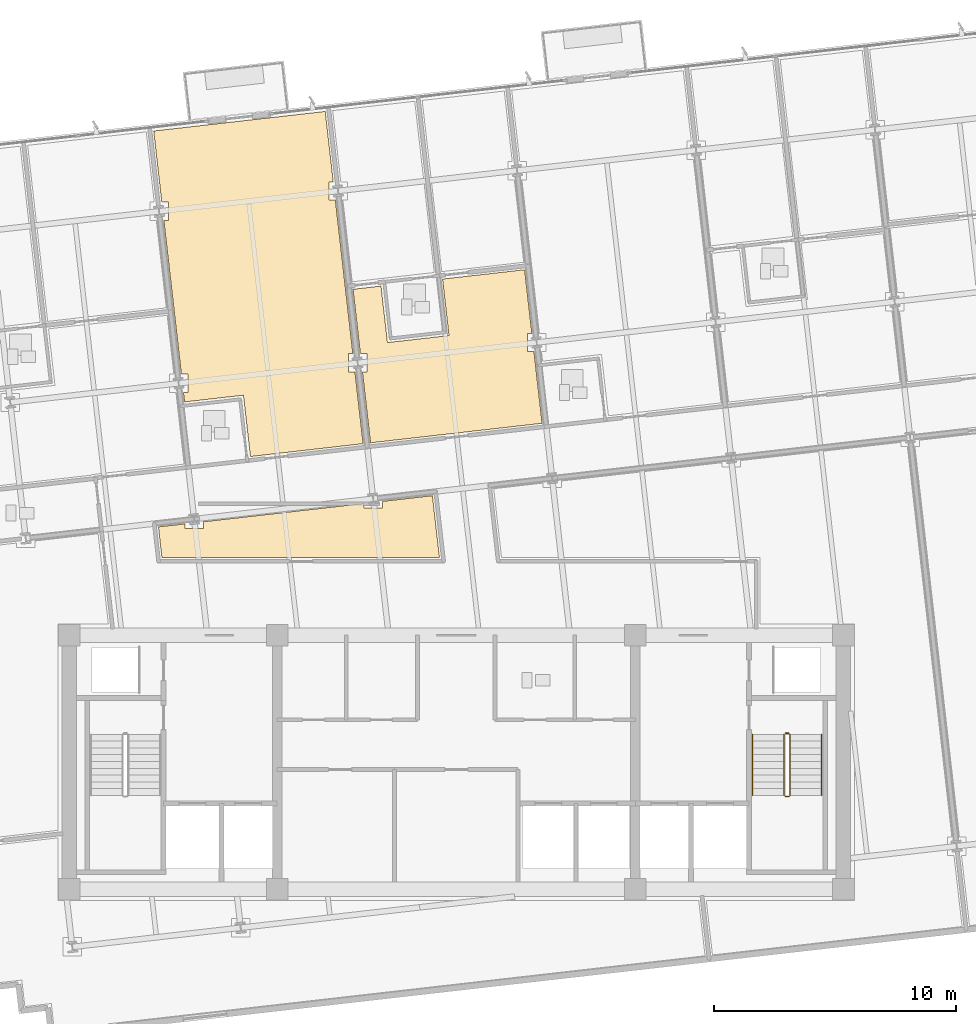
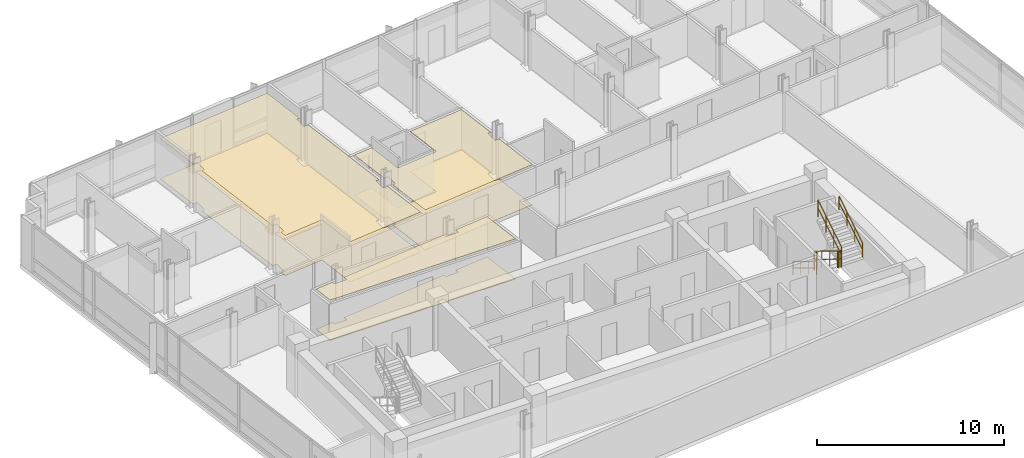
# One storey, part 14 of 17: 6 coverings, 6 railings.
"""IFC4 building model written with IfcOpenShell, lengths in metres."""

import ifcopenshell
import ifcopenshell.guid

model = None  # the IFC model being written
_history = None  # IfcOwnerHistory: only IFC2X3 demands one
_inside = {}  # id of a spatial element -> (the spatial element, [elements in it])
_under = {}  # id of a project, library or spatial element -> (it, [spatial elements below it])
_declared = {}  # id of a project -> (the project, [libraries it declares])
_typed = {}  # id of a type object -> (the type object, [elements of that type])
_made_of = {}  # id of a material, layer set ... -> (it, [elements and type objects made of it])


def new_model(schema):
    """Start an empty IFC model of exactly this schema.

    Asked for "IFC4X3", IfcOpenShell would pick the latest addendum, in which some entities
    have other attributes; the version numbers below select the first issue.
    IFC2X3 requires an IfcOwnerHistory on every rooted entity: one is made here for all.
    """
    global model, _history
    if schema == "IFC4X3":
        model = ifcopenshell.file(schema_version=(4, 3, 0, 0))
    else:
        model = ifcopenshell.file(schema=schema)
    _inside.clear()
    _under.clear()
    _declared.clear()
    _typed.clear()
    _made_of.clear()
    _history = None
    if model.schema == "IFC2X3":
        org = make("IfcOrganization", Name="unknown")
        user = make(
            "IfcPersonAndOrganization",
            ThePerson=make("IfcPerson", FamilyName="unknown"),
            TheOrganization=org,
        )
        app = make(
            "IfcApplication",
            ApplicationDeveloper=org,
            Version="unknown",
            ApplicationFullName="unknown",
            ApplicationIdentifier="unknown",
        )
        _history = make(
            "IfcOwnerHistory",
            OwningUser=user,
            OwningApplication=app,
            ChangeAction="ADDED",
            CreationDate=0,
        )
    return model


def make(cls, **values):
    """One entity of the class cls with the attributes given. An attribute that is None is left unset."""
    return model.create_entity(
        cls, **{name: value for name, value in values.items() if value is not None}
    )


def rooted(cls, **values):
    """An entity with a GlobalId (a new one), such as an element, a storey or a relation."""
    return make(cls, GlobalId=ifcopenshell.guid.new(), OwnerHistory=_history, **values)


def si_unit(unit_type, name, prefix=None):
    """IfcSIUnit, for example si_unit("LENGTHUNIT", "METRE", prefix="MILLI")."""
    return make("IfcSIUnit", UnitType=unit_type, Prefix=prefix, Name=name)


def assignment(units):
    """IfcUnitAssignment: the units of a project."""
    return None if units is None else make("IfcUnitAssignment", Units=units)


def point(xyz):
    """IfcCartesianPoint."""
    return None if xyz is None else make("IfcCartesianPoint", Coordinates=xyz)


def direction(xyz):
    """IfcDirection."""
    return None if xyz is None else make("IfcDirection", DirectionRatios=xyz)


def frame(location, z_axis=None, x_axis=None):
    """IfcAxis2Placement3D, a coordinate frame: its origin and axes. An axis left out is left unset."""
    return make(
        "IfcAxis2Placement3D",
        Location=point(location),
        Axis=direction(z_axis),
        RefDirection=direction(x_axis),
    )


def frame_2d(location, x_axis=None):
    """IfcAxis2Placement2D, a coordinate frame in the plane: its origin and x axis."""
    return make(
        "IfcAxis2Placement2D", Location=point(location), RefDirection=direction(x_axis)
    )


def origin():
    """The frame at (0, 0, 0) with its axes left unset."""
    return frame((0.0, 0.0, 0.0))


def origin_2d():
    """The frame at (0, 0) in the plane with its x axis left unset."""
    return frame_2d((0.0, 0.0))


def place(relative_to, where):
    """IfcLocalPlacement: puts the frame where relative to a parent placement (None: the world)."""
    return make(
        "IfcLocalPlacement", PlacementRelTo=relative_to, RelativePlacement=where
    )


def context(
    kind, dimensions, precision=None, world=None, true_north=None, identifier=None
):
    """IfcGeometricRepresentationContext, for example the 3D "Model" context."""
    return make(
        "IfcGeometricRepresentationContext",
        ContextIdentifier=identifier,
        ContextType=kind,
        CoordinateSpaceDimension=dimensions,
        Precision=precision,
        WorldCoordinateSystem=world,
        TrueNorth=true_north,
    )


def subcontext(parent, identifier, kind, view, scale=None):
    """IfcGeometricRepresentationSubContext, for example "Body" below "Model"."""
    return make(
        "IfcGeometricRepresentationSubContext",
        ContextIdentifier=identifier,
        ContextType=kind,
        ParentContext=parent,
        TargetScale=scale,
        TargetView=view,
    )


def project(units=None, contexts=None):
    """IfcProject with its units and contexts."""
    return rooted(
        "IfcProject",
        Name="project",
        RepresentationContexts=contexts,
        UnitsInContext=assignment(units),
    )


def spatial(cls, under=None, at=None, **own):
    """A site, building, storey or space (cls), placed at a placement, below another one or the project."""
    s = rooted(cls, ObjectPlacement=at, **own)
    if under is not None:
        _under.setdefault(under.id(), (under, []))[1].append(s)
    return s


def polyline(points):
    """IfcPolyline through the points."""
    return make("IfcPolyline", Points=[point(p) for p in points])


def profile(cls, at=None, kind="AREA", **sizes):
    """A parametric profile (cls). Its sizes go by their IFC names, for example OverallWidth=200.0."""
    return make(cls, ProfileType=kind, Position=at, **sizes)


def circle(**sizes):
    """IfcCircleProfileDef."""
    return profile("IfcCircleProfileDef", **sizes)


def outline(outer, holes=None, kind="AREA"):
    """IfcArbitraryClosedProfileDef: a profile drawn as a closed curve; with holes, ...WithVoids."""
    if holes is None:
        return make("IfcArbitraryClosedProfileDef", ProfileType=kind, OuterCurve=outer)
    return make(
        "IfcArbitraryProfileDefWithVoids",
        ProfileType=kind,
        OuterCurve=outer,
        InnerCurves=holes,
    )


def extrude(swept, where, along, depth):
    """IfcExtrudedAreaSolid: the profile swept, set in the frame where, extruded along a direction by depth."""
    return make(
        "IfcExtrudedAreaSolid",
        SweptArea=swept,
        Position=where,
        ExtrudedDirection=direction(along),
        Depth=depth,
    )


def shape(context_of_items, identifier, shape_type, items):
    """IfcShapeRepresentation: the items that make up one representation, for example the "Body"."""
    return make(
        "IfcShapeRepresentation",
        ContextOfItems=context_of_items,
        RepresentationIdentifier=identifier,
        RepresentationType=shape_type,
        Items=items,
    )


def material(Name=None, Category=None):
    """IfcMaterial."""
    return make("IfcMaterial", Name=Name, Category=Category)


def layer(
    of_material, thickness, ventilated=None, Name=None, Category=None, Priority=None
):
    """IfcMaterialLayer: one layer of a wall or slab, of a material (None: an air gap)."""
    return make(
        "IfcMaterialLayer",
        Material=of_material,
        LayerThickness=thickness,
        IsVentilated=ventilated,
        Name=Name,
        Category=Category,
        Priority=Priority,
    )


def layer_set(layers, Name=None):
    """IfcMaterialLayerSet."""
    return make("IfcMaterialLayerSet", MaterialLayers=layers, LayerSetName=Name)


def made_of(thing, what):
    """Note that an element or type object is made of a material, layer set ...; save() writes the relation."""
    if what is not None:
        _made_of.setdefault(what.id(), (what, []))[1].append(thing)
    return thing


def type_object(cls, material=None, **own):
    """A type object (cls), such as IfcWallType, which elements share."""
    return made_of(rooted(cls, **own), material)


def element(
    cls,
    number,
    at=None,
    inside=None,
    cuts=None,
    type_object=None,
    material=None,
    context=None,
    identifier="Body",
    shape_type=None,
    held_by="IfcProductDefinitionShape",
    body=None,
    shapes=None,
    **own,
):
    """One element of the class cls, such as IfcWall. Its Tag is "e" and its number.

    at: its placement. inside: the storey or other place that contains it. cuts: it is an
    opening in that element (IfcRelVoidsElement). A single representation is given by context,
    identifier, shape_type and body (its items); several are given by shapes. held_by: the class
    of the entity that holds the representations. save() writes the other relations.
    """
    e = rooted(cls, Tag="e%d" % number, ObjectPlacement=at, **own)
    if body is not None:
        shapes = [shape(context, identifier, shape_type, body)]
    if shapes is not None:
        e.Representation = make(held_by, Representations=shapes)
    if inside is not None:
        _inside.setdefault(inside.id(), (inside, []))[1].append(e)
    if cuts is not None:
        rooted(
            "IfcRelVoidsElement", RelatingBuildingElement=cuts, RelatedOpeningElement=e
        )
    if type_object is not None:
        _typed.setdefault(type_object.id(), (type_object, []))[1].append(e)
    return made_of(e, material)


def aggregate(whole, parts):
    """IfcRelAggregates: a whole, such as a stair, and the parts it consists of."""
    return rooted("IfcRelAggregates", RelatingObject=whole, RelatedObjects=parts)


def save(model, path):
    """Write the relations noted so far, then the file.

    IfcRelAggregates (storeys below a building ...), IfcRelContainedInSpatialStructure (elements
    in a storey), IfcRelDefinesByType, IfcRelAssociatesMaterial and IfcRelDeclares: one each for
    every whole, place, type object, material and project.
    """
    for whole, parts in _under.values():
        aggregate(whole, parts)
    for where, things in _inside.values():
        rooted(
            "IfcRelContainedInSpatialStructure",
            RelatedElements=things,
            RelatingStructure=where,
        )
    for kind, things in _typed.values():
        rooted("IfcRelDefinesByType", RelatedObjects=things, RelatingType=kind)
    for what, things in _made_of.values():
        rooted("IfcRelAssociatesMaterial", RelatedObjects=things, RelatingMaterial=what)
    for by, libraries in _declared.values():
        rooted("IfcRelDeclares", RelatingContext=by, RelatedDefinitions=libraries)
    model.write(path)


model = new_model("IFC4")

# Units and contexts
model_context = context("Model", 3, precision=1e-05, world=origin(), true_north=direction((0.0, 1.0)))
body_context = subcontext(model_context, "Body", "Model", "MODEL_VIEW")
ifc_project = project(units=[si_unit("LENGTHUNIT", "METRE"), si_unit("AREAUNIT", "SQUARE_METRE"), si_unit("VOLUMEUNIT", "CUBIC_METRE"), si_unit("PLANEANGLEUNIT", "RADIAN"), si_unit("MASSUNIT", "GRAM", prefix="KILO")], contexts=[model_context])

# Site, building, storey
site_placement = place(None, origin())
site = spatial("IfcSite", under=ifc_project, at=site_placement, CompositionType="ELEMENT")
building_placement = place(site_placement, origin())
building = spatial("IfcBuilding", under=site, at=building_placement, Name="Solmavex Isthmus Hotel", CompositionType="ELEMENT")
storey_placement = place(building_placement, frame((0.0, 0.0, 198.60009765625)))
storey = spatial("IfcBuildingStorey", under=building, at=storey_placement, Name="L53", CompositionType="ELEMENT", Elevation=198.60009765625)

# Coverings
ifc_material_1 = material(Name="Gypsum plasterboard lining", Category="gypsum")
ifc_layer_1 = layer(ifc_material_1, 0.030029296875)
ifc_layer_set_1 = layer_set([ifc_layer_1], Name="Gypsum plasterboard lining")
covering_type_1 = type_object("IfcCoveringType", Name="COV-CEIL-GYP", PredefinedType="CEILING", material=ifc_layer_set_1)
covering_1_placement = place(storey_placement, frame((0.0, 0.0, 2.619873046875)))
element("IfcCovering", 1, at=covering_1_placement, inside=storey, type_object=covering_type_1, Name="Suspended Acoustic Ceiling L53-RM02", PredefinedType="CEILING", context=body_context, shape_type="SweptSolid", body=[
    extrude(outline(polyline([(-11.360595703125, 8.29248046875), (-11.09326171875, 8.29248046875), (-11.09326171875, 7.532470703125), (-11.274169921875, 7.532470703125), (-11.2294921875, 7.14208984375), (-8.79541015625, 7.41943359375), (-8.506591796875, 4.8857421875), (-3.850830078125, 5.416259765625), (-4.18798828125, 8.375244140625), (-4.455322265625, 8.375244140625), (-4.455322265625, 9.13525390625), (-4.2744140625, 9.13525390625), (-4.99755859375, 15.481201171875), (-5.264892578125, 15.481201171875), (-5.264892578125, 16.2412109375), (-5.084228515625, 16.2412109375), (-5.415283203125, 19.1474609375), (-12.50537109375, 18.339599609375), (-12.17041015625, 15.3984375), (-11.903076171875, 15.3984375), (-11.903076171875, 14.638427734375), (-12.083740234375, 14.638427734375), (-11.763916015625, 11.832275390625), (-11.360595703125, 8.29248046875)])), origin(), (0.0, 0.0, 1.0), 0.030029296875),
])
covering_2_placement = place(storey_placement, frame((0.0, 0.0, 2.619873046875)))
element("IfcCovering", 2, at=covering_2_placement, inside=storey, type_object=covering_type_1, Name="Suspended Acoustic Ceiling L53-ST03-FY", PredefinedType="CEILING", context=body_context, shape_type="SweptSolid", body=[
    extrude(outline(polyline([(3.210205078125, 9.21826171875), (2.94287109375, 9.21826171875), (2.94287109375, 9.978271484375), (3.12353515625, 9.978271484375), (2.82421875, 12.60595703125), (-0.56689453125, 12.2197265625), (-0.30078125, 9.884765625), (-2.844482421875, 9.594970703125), (-3.1103515625, 11.929931640625), (-4.265869140625, 11.79833984375), (-3.962646484375, 9.13525390625), (-3.6953125, 9.13525390625), (-3.6953125, 8.375244140625), (-3.8759765625, 8.375244140625), (-3.542724609375, 5.451416015625), (3.54736328125, 6.259033203125), (3.210205078125, 9.21826171875)])), origin(), (0.0, 0.0, 1.0), 0.030029296875),
])
covering_3_placement = place(storey_placement, frame((0.0, 0.0, 2.619873046875)))
element("IfcCovering", 3, at=covering_3_placement, inside=storey, type_object=covering_type_1, Name="Suspended Acoustic Ceiling L53-FL09", PredefinedType="CEILING", context=body_context, shape_type="SweptSolid", body=[
    extrude(outline(polyline([(-10.4541015625, 2.18798828125), (-10.4541015625, 1.920654296875), (-11.214111328125, 1.920654296875), (-11.214111328125, 2.101318359375), (-12.309814453125, 1.9765625), (-12.1650390625, 0.705078125), (-0.694091796875, 0.705078125), (-0.986083984375, 3.2666015625), (-3.055908203125, 3.03076171875), (-3.055908203125, 2.763671875), (-3.81591796875, 2.763671875), (-3.81591796875, 2.9443359375), (-10.4541015625, 2.18798828125)])), origin(), (0.0, 0.0, 1.0), 0.030029296875),
])
ifc_material_2 = material(Name="Travertine natural stone", Category="masonry")
ifc_layer_2 = layer(ifc_material_2, 0.02490234375)
ifc_layer_set_2 = layer_set([ifc_layer_2], Name="Travertine natural stone")
covering_type_2 = type_object("IfcCoveringType", Name="COV-FLOR-STN", PredefinedType="FLOORING", material=ifc_layer_set_2)
covering_4_placement = place(storey_placement, origin())
element("IfcCovering", 4, at=covering_4_placement, inside=storey, type_object=covering_type_2, Name="Stone and Timber Floor Finish L53-RM02", PredefinedType="FLOORING", context=body_context, shape_type="SweptSolid", body=[
    extrude(outline(polyline([(-11.360595703125, 8.29248046875), (-11.09326171875, 8.29248046875), (-11.09326171875, 7.532470703125), (-11.274169921875, 7.532470703125), (-11.2294921875, 7.14208984375), (-8.79541015625, 7.41943359375), (-8.506591796875, 4.8857421875), (-3.850830078125, 5.416259765625), (-4.18798828125, 8.375244140625), (-4.455322265625, 8.375244140625), (-4.455322265625, 9.13525390625), (-4.2744140625, 9.13525390625), (-4.99755859375, 15.481201171875), (-5.264892578125, 15.481201171875), (-5.264892578125, 16.2412109375), (-5.084228515625, 16.2412109375), (-5.415283203125, 19.1474609375), (-12.50537109375, 18.339599609375), (-12.17041015625, 15.3984375), (-11.903076171875, 15.3984375), (-11.903076171875, 14.638427734375), (-12.083740234375, 14.638427734375), (-11.763916015625, 11.832275390625), (-11.360595703125, 8.29248046875)])), origin(), (0.0, 0.0, 1.0), 0.02490234375),
])
covering_5_placement = place(storey_placement, origin())
element("IfcCovering", 5, at=covering_5_placement, inside=storey, type_object=covering_type_2, Name="Stone and Timber Floor Finish L53-ST03-FY", PredefinedType="FLOORING", context=body_context, shape_type="SweptSolid", body=[
    extrude(outline(polyline([(3.210205078125, 9.21826171875), (2.94287109375, 9.21826171875), (2.94287109375, 9.978271484375), (3.12353515625, 9.978271484375), (2.82421875, 12.60595703125), (-0.56689453125, 12.2197265625), (-0.30078125, 9.884765625), (-2.844482421875, 9.594970703125), (-3.1103515625, 11.929931640625), (-4.265869140625, 11.79833984375), (-3.962646484375, 9.13525390625), (-3.6953125, 9.13525390625), (-3.6953125, 8.375244140625), (-3.8759765625, 8.375244140625), (-3.542724609375, 5.451416015625), (3.54736328125, 6.259033203125), (3.210205078125, 9.21826171875)])), origin(), (0.0, 0.0, 1.0), 0.02490234375),
])
covering_6_placement = place(storey_placement, origin())
element("IfcCovering", 6, at=covering_6_placement, inside=storey, type_object=covering_type_2, Name="Stone and Timber Floor Finish L53-FL09", PredefinedType="FLOORING", context=body_context, shape_type="SweptSolid", body=[
    extrude(outline(polyline([(-10.4541015625, 2.18798828125), (-10.4541015625, 1.920654296875), (-11.214111328125, 1.920654296875), (-11.214111328125, 2.101318359375), (-12.309814453125, 1.9765625), (-12.1650390625, 0.705078125), (-0.694091796875, 0.705078125), (-0.986083984375, 3.2666015625), (-3.055908203125, 3.03076171875), (-3.055908203125, 2.763671875), (-3.81591796875, 2.763671875), (-3.81591796875, 2.9443359375), (-10.4541015625, 2.18798828125)])), origin(), (0.0, 0.0, 1.0), 0.02490234375),
])

# Railings
ifc_material_3 = material(Name="Stainless steel 316", Category="steel")
ifc_layer_3 = layer(ifc_material_3, 0.06005859375)
ifc_layer_set_3 = layer_set([ifc_layer_3], Name="Stainless steel 316")
railing_type_1 = type_object("IfcRailingType", Name="RAIL-STAIR-GD", PredefinedType="GUARDRAIL", material=ifc_layer_set_3)
railing_1_placement = place(storey_placement, frame((13.550048828125, -6.60009765625, 0.17236328125)))
element("IfcRailing", 7, at=railing_1_placement, inside=storey, type_object=railing_type_1, Name="L53 ST-2 stair guard 1", PredefinedType="GUARDRAIL", context=body_context, shape_type="SweptSolid", body=[
    extrude(circle(Radius=0.02392578125, at=origin_2d()), frame((0.0, 0.0, 1.09619140625), z_axis=(0.0, -0.851400495292, 0.524516154772), x_axis=(1.0, 0.0, 0.0)), (0.0, 0.0, 1.0), 2.9599609375),
    extrude(circle(Radius=0.02392578125, at=origin_2d()), frame((0.0, 0.0, 0.56005859375), z_axis=(0.0, -0.851400495292, 0.524516154772), x_axis=(1.0, 0.0, 0.0)), (0.0, 0.0, 1.0), 2.9599609375),
    extrude(circle(Radius=0.02099609375, at=origin_2d()), origin(), (0.0, 0.0, 1.0), 1.072021484375),
    extrude(circle(Radius=0.02099609375, at=origin_2d()), frame((0.0, -0.840087890625, 0.517578125)), (0.0, 0.0, 1.0), 1.072021484375),
    extrude(circle(Radius=0.02099609375, at=origin_2d()), frame((0.0, -1.679931640625, 1.034912109375)), (0.0, 0.0, 1.0), 1.072021484375),
    extrude(circle(Radius=0.02099609375, at=origin_2d()), frame((0.0, -2.52001953125, 1.552490234375)), (0.0, 0.0, 1.0), 1.072021484375),
])
railing_2_placement = place(storey_placement, frame((13.60009765625, -9.169921875, 1.724853515625)))
element("IfcRailing", 8, at=railing_2_placement, inside=storey, type_object=railing_type_1, Name="L53 ST-2 stair guard 2", PredefinedType="GUARDRAIL", context=body_context, shape_type="SweptSolid", body=[
    extrude(circle(Radius=0.02392578125, at=origin_2d()), frame((0.0, 0.0, 1.09619140625), z_axis=(1.0, 0.0, 0.0), x_axis=(0.0, 1.0, 0.0)), (0.0, 0.0, 1.0), 0.14990234375),
    extrude(circle(Radius=0.02392578125, at=origin_2d()), frame((0.0, 0.0, 0.56005859375), z_axis=(1.0, 0.0, 0.0), x_axis=(0.0, 1.0, 0.0)), (0.0, 0.0, 1.0), 0.14990234375),
    extrude(circle(Radius=0.02099609375, at=origin_2d()), origin(), (0.0, 0.0, 1.0), 1.072021484375),
    extrude(circle(Radius=0.02099609375, at=origin_2d()), frame((0.14990234375, 0.0, 0.0)), (0.0, 0.0, 1.0), 1.072021484375),
])
railing_3_placement = place(storey_placement, frame((13.800048828125, -9.1201171875, 1.8974609375)))
element("IfcRailing", 9, at=railing_3_placement, inside=storey, type_object=railing_type_1, Name="L53 ST-2 stair guard 3", PredefinedType="GUARDRAIL", context=body_context, shape_type="SweptSolid", body=[
    extrude(circle(Radius=0.02392578125, at=origin_2d()), frame((0.0, 0.0, 1.09619140625), z_axis=(0.0, 0.851400495292, 0.524516154772), x_axis=(-1.0, 0.0, 0.0)), (0.0, 0.0, 1.0), 2.9599609375),
    extrude(circle(Radius=0.02392578125, at=origin_2d()), frame((0.0, 0.0, 0.56005859375), z_axis=(0.0, 0.851400495292, 0.524516154772), x_axis=(-1.0, 0.0, 0.0)), (0.0, 0.0, 1.0), 2.9599609375),
    extrude(circle(Radius=0.02099609375, at=origin_2d()), origin(), (0.0, 0.0, 1.0), 1.072021484375),
    extrude(circle(Radius=0.02099609375, at=origin_2d()), frame((0.0, 0.840087890625, 0.517578125)), (0.0, 0.0, 1.0), 1.072021484375),
    extrude(circle(Radius=0.02099609375, at=origin_2d()), frame((0.0, 1.679931640625, 1.034912109375)), (0.0, 0.0, 1.0), 1.072021484375),
    extrude(circle(Radius=0.02099609375, at=origin_2d()), frame((0.0, 2.52001953125, 1.552490234375)), (0.0, 0.0, 1.0), 1.072021484375),
])
railing_4_placement = place(storey_placement, frame((13.60009765625, -6.550048828125, 0.0)))
element("IfcRailing", 10, at=railing_4_placement, inside=storey, type_object=railing_type_1, Name="L53 ST-2 stair guard 4", PredefinedType="GUARDRAIL", context=body_context, shape_type="SweptSolid", body=[
    extrude(circle(Radius=0.02392578125, at=origin_2d()), frame((0.0, 0.0, 1.09619140625), z_axis=(1.0, 0.0, 0.0), x_axis=(0.0, 1.0, 0.0)), (0.0, 0.0, 1.0), 0.14990234375),
    extrude(circle(Radius=0.02392578125, at=origin_2d()), frame((0.0, 0.0, 0.56005859375), z_axis=(1.0, 0.0, 0.0), x_axis=(0.0, 1.0, 0.0)), (0.0, 0.0, 1.0), 0.14990234375),
    extrude(circle(Radius=0.02099609375, at=origin_2d()), origin(), (0.0, 0.0, 1.0), 1.072021484375),
    extrude(circle(Radius=0.02099609375, at=origin_2d()), frame((0.14990234375, 0.0, 0.0)), (0.0, 0.0, 1.0), 1.072021484375),
])
ifc_layer_4 = layer(ifc_material_3, 0.050048828125)
ifc_layer_set_4 = layer_set([ifc_layer_4], Name="Stainless steel 316")
railing_type_2 = type_object("IfcRailingType", Name="RAIL-STAIR-HR", PredefinedType="HANDRAIL", material=ifc_layer_set_4)
railing_5_placement = place(storey_placement, frame((12.25, -6.60009765625, 0.17236328125)))
element("IfcRailing", 11, at=railing_5_placement, inside=storey, type_object=railing_type_2, Name="L53 ST-2 stair handrail 1", PredefinedType="HANDRAIL", context=body_context, shape_type="SweptSolid", body=[
    extrude(circle(Radius=0.02392578125, at=origin_2d()), frame((0.0, 0.0, 0.8759765625), z_axis=(0.0, -0.851400495292, 0.524516154772), x_axis=(1.0, 0.0, 0.0)), (0.0, 0.0, 1.0), 2.9599609375),
    extrude(circle(Radius=0.02392578125, at=origin_2d()), frame((0.0, 0.0, 0.449951171875), z_axis=(0.0, -0.851400495292, 0.524516154772), x_axis=(1.0, 0.0, 0.0)), (0.0, 0.0, 1.0), 2.9599609375),
    extrude(circle(Radius=0.02099609375, at=origin_2d()), origin(), (0.0, 0.0, 1.0), 0.851806640625),
    extrude(circle(Radius=0.02099609375, at=origin_2d()), frame((0.0, -0.840087890625, 0.517578125)), (0.0, 0.0, 1.0), 0.851806640625),
    extrude(circle(Radius=0.02099609375, at=origin_2d()), frame((0.0, -1.679931640625, 1.034912109375)), (0.0, 0.0, 1.0), 0.851806640625),
    extrude(circle(Radius=0.02099609375, at=origin_2d()), frame((0.0, -2.52001953125, 1.552490234375)), (0.0, 0.0, 1.0), 0.851806640625),
])
railing_6_placement = place(storey_placement, frame((15.10009765625, -9.1201171875, 1.8974609375)))
element("IfcRailing", 12, at=railing_6_placement, inside=storey, type_object=railing_type_2, Name="L53 ST-2 stair handrail 2", PredefinedType="HANDRAIL", context=body_context, shape_type="SweptSolid", body=[
    extrude(circle(Radius=0.02392578125, at=origin_2d()), frame((0.0, 0.0, 0.8759765625), z_axis=(0.0, 0.851400495292, 0.524516154772), x_axis=(-1.0, 0.0, 0.0)), (0.0, 0.0, 1.0), 2.9599609375),
    extrude(circle(Radius=0.02392578125, at=origin_2d()), frame((0.0, 0.0, 0.449951171875), z_axis=(0.0, 0.851400495292, 0.524516154772), x_axis=(-1.0, 0.0, 0.0)), (0.0, 0.0, 1.0), 2.9599609375),
    extrude(circle(Radius=0.02099609375, at=origin_2d()), origin(), (0.0, 0.0, 1.0), 0.851806640625),
    extrude(circle(Radius=0.02099609375, at=origin_2d()), frame((0.0, 0.840087890625, 0.517578125)), (0.0, 0.0, 1.0), 0.851806640625),
    extrude(circle(Radius=0.02099609375, at=origin_2d()), frame((0.0, 1.679931640625, 1.034912109375)), (0.0, 0.0, 1.0), 0.851806640625),
    extrude(circle(Radius=0.02099609375, at=origin_2d()), frame((0.0, 2.52001953125, 1.552490234375)), (0.0, 0.0, 1.0), 0.851806640625),
])

save(model, "model.ifc")
